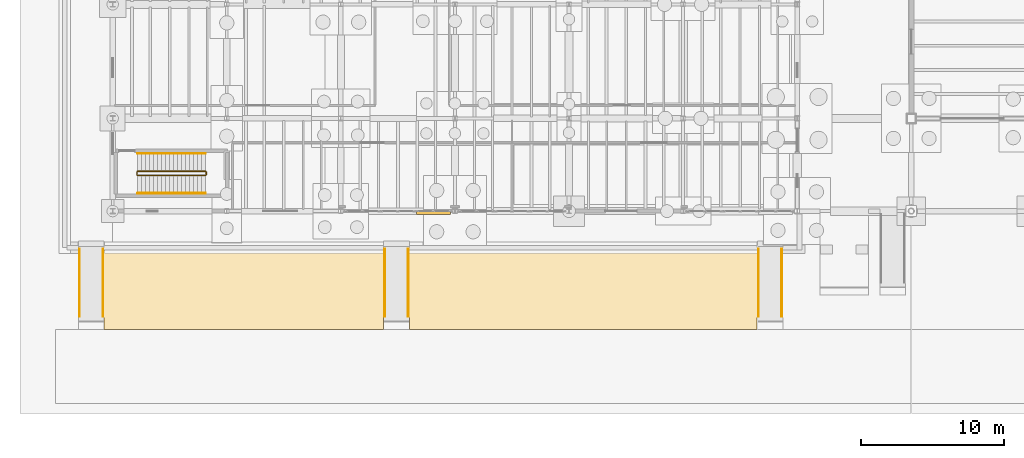
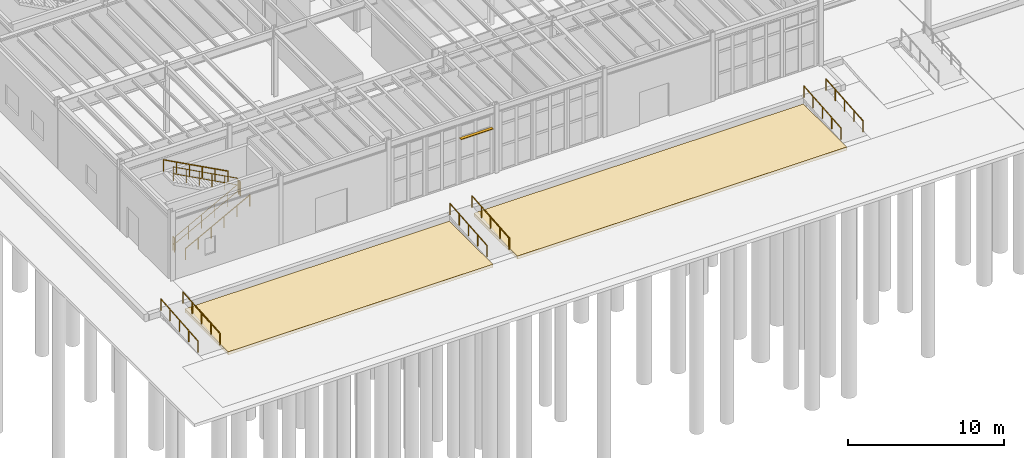
# One storey, part 74 of 86: 12 railings, 2 coverings, 1 shading device.
"""IFC4 building model written with IfcOpenShell, lengths in metres."""

from ifc_helpers import new_model, si_unit, direction, frame, origin, origin_2d, place, context, subcontext, project, spatial, polyline, rectangle, circle, outline, extrude, material, layer, layer_set, type_object, element, save


model = new_model("IFC4")

# Units and contexts
model_context = context("Model", 3, precision=1e-05, world=origin(), true_north=direction((0.0, 1.0)))
body_context = subcontext(model_context, "Body", "Model", "MODEL_VIEW")
ifc_project = project(units=[si_unit("LENGTHUNIT", "METRE"), si_unit("AREAUNIT", "SQUARE_METRE"), si_unit("VOLUMEUNIT", "CUBIC_METRE"), si_unit("PLANEANGLEUNIT", "RADIAN"), si_unit("MASSUNIT", "GRAM", prefix="KILO"), si_unit("THERMODYNAMICTEMPERATUREUNIT", "KELVIN"), si_unit("POWERUNIT", "WATT")], contexts=[model_context])

# Site, building, storey
site_placement = place(None, origin())
site = spatial("IfcSite", under=ifc_project, at=site_placement, CompositionType="ELEMENT")
building_placement = place(site_placement, origin())
building = spatial("IfcBuilding", under=site, at=building_placement, Name="Zhenchuan Central Fire Station", CompositionType="ELEMENT")
storey_placement = place(building_placement, frame((0.0, 0.0, 0.449951171875)))
storey = spatial("IfcBuildingStorey", under=building, at=storey_placement, Name="L01", CompositionType="ELEMENT", Elevation=0.449951171875)

# Coverings
ifc_material_1 = material(Name="Granite stone boulevard paving", Category="masonry")
ifc_layer_1 = layer(ifc_material_1, 0.239990234375, Name="Granite stone boulevard paving", Category="masonry")
ifc_layer_set_1 = layer_set([ifc_layer_1], Name="Granite stone boulevard paving")
covering_type = type_object("IfcCoveringType", Name="COV-SITE-PAV", PredefinedType="FLOORING", material=ifc_layer_set_1)
covering_1_placement = place(storey_placement, frame((0.0, 0.0, -0.68994140625)))
element("IfcCovering", 1, at=covering_1_placement, inside=storey, type_object=covering_type, Name="Zhenchuan Boulevard Grade Paving Zone W-02", PredefinedType="FLOORING", context=body_context, shape_type="SweptSolid", body=[
    extrude(outline(polyline([(20.805908203125, -8.2958984375), (20.805908203125, -2.72998046875), (45.194091796875, -2.72998046875), (45.194091796875, -8.2958984375), (20.805908203125, -8.2958984375)])), origin(), (0.0, 0.0, 1.0), 0.239990234375),
])
covering_2_placement = place(storey_placement, frame((0.0, 0.0, -0.68994140625)))
element("IfcCovering", 2, at=covering_2_placement, inside=storey, type_object=covering_type, Name="Zhenchuan Boulevard Grade Paving Zone W-03", PredefinedType="FLOORING", context=body_context, shape_type="SweptSolid", body=[
    extrude(outline(polyline([(-0.593994140625, -8.2958984375), (-0.593994140625, -2.72998046875), (18.993896484375, -2.72998046875), (18.993896484375, -8.2958984375), (-0.593994140625, -8.2958984375)])), origin(), (0.0, 0.0, 1.0), 0.239990234375),
])

# Railings
ifc_material_2 = material(Name="Galvanised powder-coated steel", Category="steel")
railing_type_1 = type_object("IfcRailingType", Name="RL-RMP-HND", PredefinedType="HANDRAIL", material=ifc_material_2)
for number, where, name in (
    (3, (19.080078125, -7.39990234375, -0.416748046875), "Gallery Accessible Wheelchair Ramp RP-01 Handrail L"),
    (4, (20.719970703125, -7.39990234375, -0.416748046875), "Gallery Accessible Wheelchair Ramp RP-01 Handrail R"),
    (5, (45.280029296875, -7.39990234375, -0.416748046875), "Boulevard Canopy Accessible Ramp RP-02 Handrail L"),
    (6, (46.919921875, -7.39990234375, -0.416748046875), "Boulevard Canopy Accessible Ramp RP-02 Handrail R"),
    (7, (-2.320068359375, -7.39990234375, -0.416748046875), "West Promenade Accessible Ramp RP-04 Handrail L"),
    (8, (-0.679931640625, -7.39990234375, -0.416748046875), "West Promenade Accessible Ramp RP-04 Handrail R"),
):
    element("IfcRailing", number, at=place(storey_placement, frame(where)), inside=storey, type_object=railing_type_1, Name=name, PredefinedType="HANDRAIL", context=body_context, shape_type="SweptSolid", body=[
        extrude(circle(Radius=0.02392578125, at=origin_2d()), frame((0.0, 0.0, 0.8759765625), z_axis=(0.0, 0.996542931718, 0.083079391203), x_axis=(-1.0, 0.0, 0.0)), (0.0, 0.0, 1.0), 4.766357421875),
        extrude(circle(Radius=0.02099609375, at=origin_2d()), origin(), (0.0, 0.0, 1.0), 0.851806640625),
        extrude(circle(Radius=0.02099609375, at=origin_2d()), frame((0.0, 1.1875, 0.09912109375)), (0.0, 0.0, 1.0), 0.851806640625),
        extrude(circle(Radius=0.02099609375, at=origin_2d()), frame((0.0, 2.375, 0.197998046875)), (0.0, 0.0, 1.0), 0.851806640625),
        extrude(circle(Radius=0.02099609375, at=origin_2d()), frame((0.0, 3.5625, 0.296875)), (0.0, 0.0, 1.0), 0.851806640625),
        extrude(circle(Radius=0.02099609375, at=origin_2d()), frame((0.0, 4.75, 0.39599609375)), (0.0, 0.0, 1.0), 0.851806640625),
    ])
railing_type_2 = type_object("IfcRailingType", Name="RL-ST-GRD", PredefinedType="GUARDRAIL", material=ifc_material_2)
railing_1_placement = place(storey_placement, frame((1.75, 2.5, 0.150146484375)))
element("IfcRailing", 9, at=railing_1_placement, inside=storey, type_object=railing_type_2, Name="L01 ST-01 stair guard 1", PredefinedType="GUARDRAIL", context=body_context, shape_type="SweptSolid", body=[
    extrude(circle(Radius=0.02392578125, at=origin_2d()), frame((0.0, 0.0, 1.076171875), z_axis=(0.881495428514, 0.0, 0.472192555542), x_axis=(0.0, 1.0, 0.0)), (0.0, 0.0, 1.0), 5.39990234375),
    extrude(circle(Radius=0.02392578125, at=origin_2d()), frame((0.0, 0.0, 0.550048828125), z_axis=(0.881495428514, 0.0, 0.472192555542), x_axis=(0.0, 1.0, 0.0)), (0.0, 0.0, 1.0), 5.39990234375),
    extrude(circle(Radius=0.02099609375, at=origin_2d()), origin(), (0.0, 0.0, 1.0), 1.052001953125),
    extrude(circle(Radius=0.02099609375, at=origin_2d()), frame((0.951904296875, 0.0, 0.510009765625)), (0.0, 0.0, 1.0), 1.052001953125),
    extrude(circle(Radius=0.02099609375, at=origin_2d()), frame((1.904052734375, 0.0, 1.02001953125)), (0.0, 0.0, 1.0), 1.052001953125),
    extrude(circle(Radius=0.02099609375, at=origin_2d()), frame((2.85595703125, 0.0, 1.52978515625)), (0.0, 0.0, 1.0), 1.052001953125),
    extrude(circle(Radius=0.02099609375, at=origin_2d()), frame((3.80810546875, 0.0, 2.039794921875)), (0.0, 0.0, 1.0), 1.052001953125),
    extrude(circle(Radius=0.02099609375, at=origin_2d()), frame((4.760009765625, 0.0, 2.5498046875)), (0.0, 0.0, 1.0), 1.052001953125),
])
railing_2_placement = place(storey_placement, frame((6.56005859375, 2.550048828125, 2.699951171875)))
element("IfcRailing", 10, at=railing_2_placement, inside=storey, type_object=railing_type_2, Name="L01 ST-01 stair guard 2", PredefinedType="GUARDRAIL", context=body_context, shape_type="SweptSolid", body=[
    extrude(circle(Radius=0.02392578125, at=origin_2d()), frame((0.0, 0.0, 1.076171875), z_axis=(0.0, 1.0, 0.0), x_axis=(-1.0, 0.0, 0.0)), (0.0, 0.0, 1.0), 0.199951171875),
    extrude(circle(Radius=0.02392578125, at=origin_2d()), frame((0.0, 0.0, 0.550048828125), z_axis=(0.0, 1.0, 0.0), x_axis=(-1.0, 0.0, 0.0)), (0.0, 0.0, 1.0), 0.199951171875),
    extrude(circle(Radius=0.02099609375, at=origin_2d()), origin(), (0.0, 0.0, 1.0), 1.052001953125),
    extrude(circle(Radius=0.02099609375, at=origin_2d()), frame((0.0, 0.199951171875, 0.0)), (0.0, 0.0, 1.0), 1.052001953125),
])
railing_3_placement = place(storey_placement, frame((6.510009765625, 2.800048828125, 2.85009765625)))
element("IfcRailing", 11, at=railing_3_placement, inside=storey, type_object=railing_type_2, Name="L01 ST-01 stair guard 3", PredefinedType="GUARDRAIL", context=body_context, shape_type="SweptSolid", body=[
    extrude(circle(Radius=0.02392578125, at=origin_2d()), frame((0.0, 0.0, 1.076171875), z_axis=(-0.881476609435, 0.0, 0.47222768557), x_axis=(0.0, -1.0, 0.0)), (0.0, 0.0, 1.0), 5.400146484375),
    extrude(circle(Radius=0.02392578125, at=origin_2d()), frame((0.0, 0.0, 0.550048828125), z_axis=(-0.881476609435, 0.0, 0.47222768557), x_axis=(0.0, -1.0, 0.0)), (0.0, 0.0, 1.0), 5.400146484375),
    extrude(circle(Radius=0.02099609375, at=origin_2d()), origin(), (0.0, 0.0, 1.0), 1.052001953125),
    extrude(circle(Radius=0.02099609375, at=origin_2d()), frame((-0.951904296875, 0.0, 0.510009765625)), (0.0, 0.0, 1.0), 1.052001953125),
    extrude(circle(Radius=0.02099609375, at=origin_2d()), frame((-1.904052734375, 0.0, 1.02001953125)), (0.0, 0.0, 1.0), 1.052001953125),
    extrude(circle(Radius=0.02099609375, at=origin_2d()), frame((-2.85595703125, 0.0, 1.530029296875)), (0.0, 0.0, 1.0), 1.052001953125),
    extrude(circle(Radius=0.02099609375, at=origin_2d()), frame((-3.80810546875, 0.0, 2.0400390625)), (0.0, 0.0, 1.0), 1.052001953125),
    extrude(circle(Radius=0.02099609375, at=origin_2d()), frame((-4.760009765625, 0.0, 2.550048828125)), (0.0, 0.0, 1.0), 1.052001953125),
])
railing_4_placement = place(storey_placement, frame((1.699951171875, 2.550048828125, 0.0)))
element("IfcRailing", 12, at=railing_4_placement, inside=storey, type_object=railing_type_2, Name="L01 ST-01 stair guard 4", PredefinedType="GUARDRAIL", context=body_context, shape_type="SweptSolid", body=[
    extrude(circle(Radius=0.02392578125, at=origin_2d()), frame((0.0, 0.0, 1.076171875), z_axis=(0.0, 1.0, 0.0), x_axis=(-1.0, 0.0, 0.0)), (0.0, 0.0, 1.0), 0.199951171875),
    extrude(circle(Radius=0.02392578125, at=origin_2d()), frame((0.0, 0.0, 0.550048828125), z_axis=(0.0, 1.0, 0.0), x_axis=(-1.0, 0.0, 0.0)), (0.0, 0.0, 1.0), 0.199951171875),
    extrude(circle(Radius=0.02099609375, at=origin_2d()), origin(), (0.0, 0.0, 1.0), 1.052001953125),
    extrude(circle(Radius=0.02099609375, at=origin_2d()), frame((0.0, 0.199951171875, 0.0)), (0.0, 0.0, 1.0), 1.052001953125),
])
ifc_material_3 = material(Name="Brushed stainless steel handrail", Category="steel")
railing_type_3 = type_object("IfcRailingType", Name="RL-ST-HND", PredefinedType="HANDRAIL", material=ifc_material_3)
railing_5_placement = place(storey_placement, frame((1.75, 1.25, 0.150146484375)))
element("IfcRailing", 13, at=railing_5_placement, inside=storey, type_object=railing_type_3, Name="L01 ST-01 stair handrail 1", PredefinedType="HANDRAIL", context=body_context, shape_type="SweptSolid", body=[
    extrude(circle(Radius=0.02392578125, at=origin_2d()), frame((0.0, 0.0, 0.8759765625), z_axis=(0.881495428514, 0.0, 0.472192555542), x_axis=(0.0, 1.0, 0.0)), (0.0, 0.0, 1.0), 5.39990234375),
    extrude(circle(Radius=0.02099609375, at=origin_2d()), origin(), (0.0, 0.0, 1.0), 0.851806640625),
    extrude(circle(Radius=0.02099609375, at=origin_2d()), frame((0.951904296875, 0.0, 0.510009765625)), (0.0, 0.0, 1.0), 0.851806640625),
    extrude(circle(Radius=0.02099609375, at=origin_2d()), frame((1.904052734375, 0.0, 1.02001953125)), (0.0, 0.0, 1.0), 0.851806640625),
    extrude(circle(Radius=0.02099609375, at=origin_2d()), frame((2.85595703125, 0.0, 1.52978515625)), (0.0, 0.0, 1.0), 0.851806640625),
    extrude(circle(Radius=0.02099609375, at=origin_2d()), frame((3.80810546875, 0.0, 2.039794921875)), (0.0, 0.0, 1.0), 0.851806640625),
    extrude(circle(Radius=0.02099609375, at=origin_2d()), frame((4.760009765625, 0.0, 2.5498046875)), (0.0, 0.0, 1.0), 0.851806640625),
])
railing_6_placement = place(storey_placement, frame((6.510009765625, 4.050048828125, 2.85009765625)))
element("IfcRailing", 14, at=railing_6_placement, inside=storey, type_object=railing_type_3, Name="L01 ST-01 stair handrail 2", PredefinedType="HANDRAIL", context=body_context, shape_type="SweptSolid", body=[
    extrude(circle(Radius=0.02392578125, at=origin_2d()), frame((0.0, 0.0, 0.8759765625), z_axis=(-0.881476609435, 0.0, 0.47222768557), x_axis=(0.0, -1.0, 0.0)), (0.0, 0.0, 1.0), 5.400146484375),
    extrude(circle(Radius=0.02099609375, at=origin_2d()), origin(), (0.0, 0.0, 1.0), 0.851806640625),
    extrude(circle(Radius=0.02099609375, at=origin_2d()), frame((-0.951904296875, 0.0, 0.510009765625)), (0.0, 0.0, 1.0), 0.851806640625),
    extrude(circle(Radius=0.02099609375, at=origin_2d()), frame((-1.904052734375, 0.0, 1.02001953125)), (0.0, 0.0, 1.0), 0.851806640625),
    extrude(circle(Radius=0.02099609375, at=origin_2d()), frame((-2.85595703125, 0.0, 1.530029296875)), (0.0, 0.0, 1.0), 0.851806640625),
    extrude(circle(Radius=0.02099609375, at=origin_2d()), frame((-3.80810546875, 0.0, 2.0400390625)), (0.0, 0.0, 1.0), 0.851806640625),
    extrude(circle(Radius=0.02099609375, at=origin_2d()), frame((-4.760009765625, 0.0, 2.550048828125)), (0.0, 0.0, 1.0), 0.851806640625),
])

# Shading device
ifc_material_4 = material(Name="Anodised aluminium EN AW-6063", Category="aluminium")
ifc_layer_2 = layer(ifc_material_4, 0.0400390625, Name="Anodised aluminium EN AW-6063", Category="aluminium")
ifc_layer_set_2 = layer_set([ifc_layer_2], Name="Anodised aluminium EN AW-6063")
shading_device_type = type_object("IfcShadingDeviceType", Name="SHD-ALU-FIN", PredefinedType="JALOUSIE", material=ifc_layer_set_2)
shading_device_placement = place(storey_placement, frame((22.485595703125, -0.1435546875, 3.599853515625), z_axis=(0.0, 0.0, 1.0), x_axis=(1.0, 0.0, 0.0)))
element("IfcShadingDevice", 15, at=shading_device_placement, inside=storey, type_object=shading_device_type, Name="Perforated Aluminium Sun-Shading Louvre 001", PredefinedType="JALOUSIE", context=body_context, shape_type="SweptSolid", body=[
    extrude(rectangle(XDim=2.388671875, YDim=0.219970703125, at=origin_2d()), origin(), (0.0, 0.0, 1.0), 0.044921875),
])

save(model, "model.ifc")
